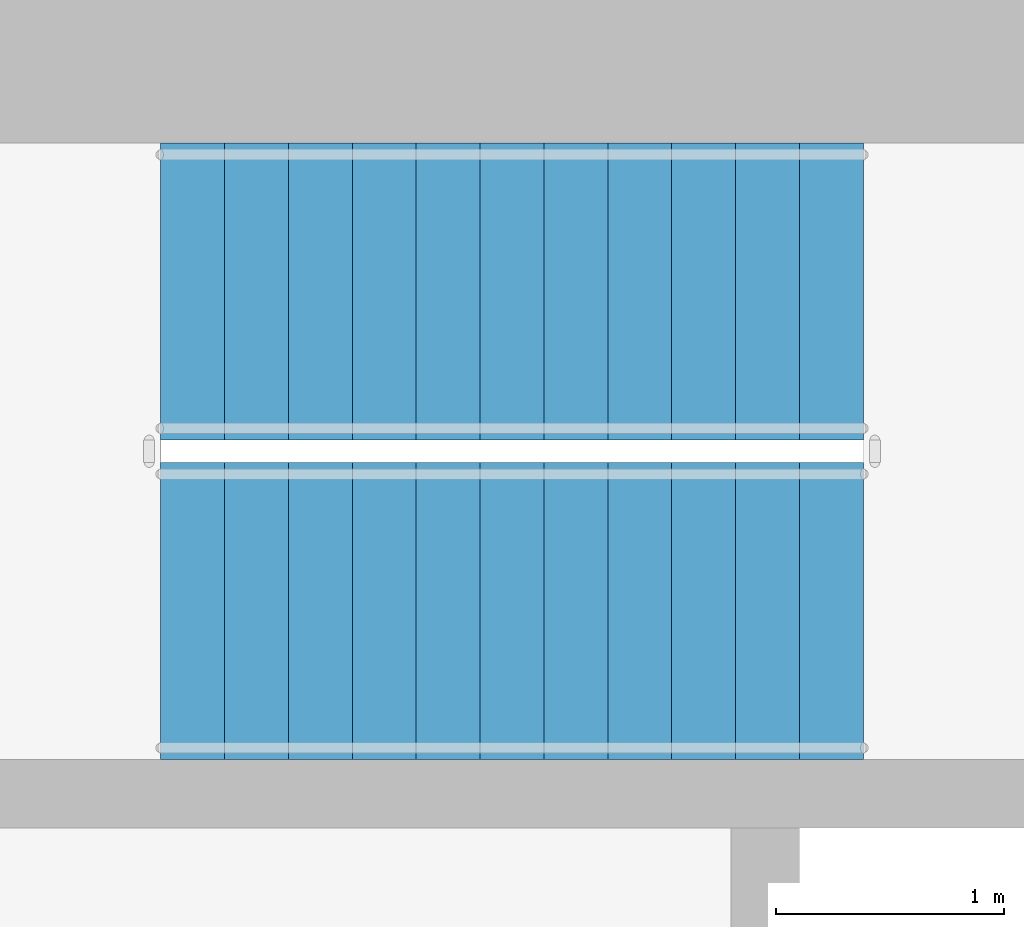
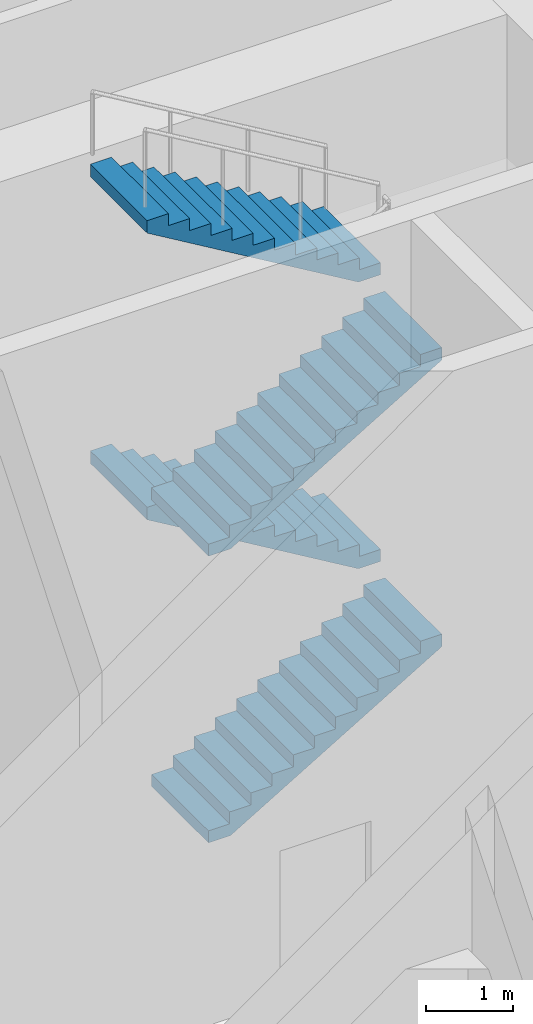
# One storey, part 39 of 54: 4 stair flights, 1 element without a shape of its own.
"""IFC4 building model written with IfcOpenShell, lengths in metres."""

from ifc_helpers import new_model, si_unit, direction, frame, origin, place, context, subcontext, project, spatial, triangles, source, transform, mapped, material, type_object, element, aggregate, save


model = new_model("IFC4")

# Units and contexts
model_context = context("Model", 3, precision=1e-05, world=origin(), true_north=direction((0.0, 1.0)))
body_context = subcontext(model_context, "Body", "Model", "MODEL_VIEW")
ifc_project = project(units=[si_unit("LENGTHUNIT", "METRE"), si_unit("AREAUNIT", "SQUARE_METRE"), si_unit("VOLUMEUNIT", "CUBIC_METRE"), si_unit("PLANEANGLEUNIT", "RADIAN"), si_unit("MASSUNIT", "GRAM", prefix="KILO")], contexts=[model_context])

# Site, building, storey
site_placement = place(None, origin())
site = spatial("IfcSite", under=ifc_project, at=site_placement, CompositionType="ELEMENT")
building_placement = place(site_placement, origin())
building = spatial("IfcBuilding", under=site, at=building_placement, Name="Ogive Portal Towers", CompositionType="ELEMENT")
storey_placement = place(building_placement, origin())
storey = spatial("IfcBuildingStorey", under=building, at=storey_placement, Name="L00", CompositionType="ELEMENT", Elevation=0.0)

# Stair, stair flights
ifc_material = material(Name="Concrete C40/50", Category="concrete")
stair_type = type_object("IfcStairType", Name="INT-STAIR", PredefinedType="HALF_TURN_STAIR", material=ifc_material)
stair_placement = place(storey_placement, origin())
stair = element("IfcStair", 1, at=stair_placement, inside=storey, type_object=stair_type, Name="L00 Exit Stair ST-A2", PredefinedType="HALF_TURN_STAIR")
stair_flight_type = type_object("IfcStairFlightType", Name="INT-FLIGHT", PredefinedType="STRAIGHT", material=ifc_material)
shared_shape = source(origin(), body_context, "Body", "Tessellation", [
    triangles([(0.0, -0.650146484375, 0.0), (0.0, -0.376220703125, 0.0), (0.0, -0.192626953125, 0.0), (0.0, -0.081298828125, 0.0), (0.0, -0.024169921875, 0.0), (0.0, -0.003173828125, 0.0), (0.0, 0.0, 0.0), (0.0, 0.0029296875, 0.0), (0.0, 0.02392578125, 0.0), (0.0, 0.0810546875, 0.0), (0.0, 0.1923828125, 0.0), (0.0, 0.3759765625, 0.0), (0.0, 0.64990234375, 0.0), (0.0, -0.650146484375, 0.166748046875), (0.0, -0.376220703125, 0.166748046875), (0.0, -0.192626953125, 0.166748046875), (0.0, -0.081298828125, 0.166748046875), (0.0, -0.024169921875, 0.166748046875), (0.0, -0.003173828125, 0.166748046875), (0.0, 0.0, 0.166748046875), (0.0, 0.0029296875, 0.166748046875), (0.0, 0.02392578125, 0.166748046875), (0.0, 0.0810546875, 0.166748046875), (0.0, 0.1923828125, 0.166748046875), (0.0, 0.3759765625, 0.166748046875), (0.0, 0.64990234375, 0.166748046875), (0.280029296875, -0.650146484375, 0.166748046875), (0.280029296875, -0.376220703125, 0.166748046875), (0.280029296875, -0.192626953125, 0.166748046875), (0.280029296875, -0.081298828125, 0.166748046875), (0.280029296875, -0.024169921875, 0.166748046875), (0.280029296875, -0.003173828125, 0.166748046875), (0.280029296875, 0.0, 0.166748046875), (0.280029296875, 0.0029296875, 0.166748046875), (0.280029296875, 0.02392578125, 0.166748046875), (0.280029296875, 0.0810546875, 0.166748046875), (0.280029296875, 0.1923828125, 0.166748046875), (0.280029296875, 0.3759765625, 0.166748046875), (0.280029296875, 0.64990234375, 0.166748046875), (0.280029296875, -0.650146484375, 0.333251953125), (0.280029296875, -0.376220703125, 0.333251953125), (0.280029296875, -0.192626953125, 0.333251953125), (0.280029296875, -0.081298828125, 0.333251953125), (0.280029296875, -0.024169921875, 0.333251953125), (0.280029296875, -0.003173828125, 0.333251953125), (0.280029296875, 0.0, 0.333251953125), (0.280029296875, 0.0029296875, 0.333251953125), (0.280029296875, 0.02392578125, 0.333251953125), (0.280029296875, 0.0810546875, 0.333251953125), (0.280029296875, 0.1923828125, 0.333251953125), (0.280029296875, 0.3759765625, 0.333251953125), (0.280029296875, 0.64990234375, 0.333251953125), (0.56005859375, -0.650146484375, 0.333251953125), (0.56005859375, -0.376220703125, 0.333251953125), (0.56005859375, -0.192626953125, 0.333251953125), (0.56005859375, -0.081298828125, 0.333251953125), (0.56005859375, -0.024169921875, 0.333251953125), (0.56005859375, -0.003173828125, 0.333251953125), (0.56005859375, 0.0, 0.333251953125), (0.56005859375, 0.0029296875, 0.333251953125), (0.56005859375, 0.02392578125, 0.333251953125), (0.56005859375, 0.0810546875, 0.333251953125), (0.56005859375, 0.1923828125, 0.333251953125), (0.56005859375, 0.3759765625, 0.333251953125), (0.56005859375, 0.64990234375, 0.333251953125), (0.56005859375, -0.650146484375, 0.5), (0.56005859375, -0.376220703125, 0.5), (0.56005859375, -0.192626953125, 0.5), (0.56005859375, -0.081298828125, 0.5), (0.56005859375, -0.024169921875, 0.5), (0.56005859375, -0.003173828125, 0.5), (0.56005859375, 0.0, 0.5), (0.56005859375, 0.0029296875, 0.5), (0.56005859375, 0.02392578125, 0.5), (0.56005859375, 0.0810546875, 0.5), (0.56005859375, 0.1923828125, 0.5), (0.56005859375, 0.3759765625, 0.5), (0.56005859375, 0.64990234375, 0.5), (0.840087890625, -0.650146484375, 0.5), (0.840087890625, -0.376220703125, 0.5), (0.840087890625, -0.192626953125, 0.5), (0.840087890625, -0.081298828125, 0.5), (0.840087890625, -0.024169921875, 0.5), (0.840087890625, -0.003173828125, 0.5), (0.840087890625, 0.0, 0.5), (0.840087890625, 0.0029296875, 0.5), (0.840087890625, 0.02392578125, 0.5), (0.840087890625, 0.0810546875, 0.5), (0.840087890625, 0.1923828125, 0.5), (0.840087890625, 0.3759765625, 0.5), (0.840087890625, 0.64990234375, 0.5), (0.840087890625, -0.650146484375, 0.666748046875), (0.840087890625, -0.376220703125, 0.666748046875), (0.840087890625, -0.192626953125, 0.666748046875), (0.840087890625, -0.081298828125, 0.666748046875), (0.840087890625, -0.024169921875, 0.666748046875), (0.840087890625, -0.003173828125, 0.666748046875), (0.840087890625, 0.0, 0.666748046875), (0.840087890625, 0.0029296875, 0.666748046875), (0.840087890625, 0.02392578125, 0.666748046875), (0.840087890625, 0.0810546875, 0.666748046875), (0.840087890625, 0.1923828125, 0.666748046875), (0.840087890625, 0.3759765625, 0.666748046875), (0.840087890625, 0.64990234375, 0.666748046875), (1.1201171875, -0.650146484375, 0.666748046875), (1.1201171875, -0.376220703125, 0.666748046875), (1.1201171875, -0.192626953125, 0.666748046875), (1.1201171875, -0.081298828125, 0.666748046875), (1.1201171875, -0.024169921875, 0.666748046875), (1.1201171875, -0.003173828125, 0.666748046875), (1.1201171875, 0.0, 0.666748046875), (1.1201171875, 0.0029296875, 0.666748046875), (1.1201171875, 0.02392578125, 0.666748046875), (1.1201171875, 0.0810546875, 0.666748046875), (1.1201171875, 0.1923828125, 0.666748046875), (1.1201171875, 0.3759765625, 0.666748046875), (1.1201171875, 0.64990234375, 0.666748046875), (1.1201171875, -0.650146484375, 0.833251953125), (1.1201171875, -0.376220703125, 0.833251953125), (1.1201171875, -0.192626953125, 0.833251953125), (1.1201171875, -0.081298828125, 0.833251953125), (1.1201171875, -0.024169921875, 0.833251953125), (1.1201171875, -0.003173828125, 0.833251953125), (1.1201171875, 0.0, 0.833251953125), (1.1201171875, 0.0029296875, 0.833251953125), (1.1201171875, 0.02392578125, 0.833251953125), (1.1201171875, 0.0810546875, 0.833251953125), (1.1201171875, 0.1923828125, 0.833251953125), (1.1201171875, 0.3759765625, 0.833251953125), (1.1201171875, 0.64990234375, 0.833251953125), (1.39990234375, -0.650146484375, 0.833251953125), (1.39990234375, -0.376220703125, 0.833251953125), (1.39990234375, -0.192626953125, 0.833251953125), (1.39990234375, -0.081298828125, 0.833251953125), (1.39990234375, -0.024169921875, 0.833251953125), (1.39990234375, -0.003173828125, 0.833251953125), (1.39990234375, 0.0, 0.833251953125), (1.39990234375, 0.0029296875, 0.833251953125), (1.39990234375, 0.02392578125, 0.833251953125), (1.39990234375, 0.0810546875, 0.833251953125), (1.39990234375, 0.1923828125, 0.833251953125), (1.39990234375, 0.3759765625, 0.833251953125), (1.39990234375, 0.64990234375, 0.833251953125), (1.39990234375, -0.650146484375, 1.0), (1.39990234375, -0.376220703125, 1.0), (1.39990234375, -0.192626953125, 1.0), (1.39990234375, -0.081298828125, 1.0), (1.39990234375, -0.024169921875, 1.0), (1.39990234375, -0.003173828125, 1.0), (1.39990234375, 0.0, 1.0), (1.39990234375, 0.0029296875, 1.0), (1.39990234375, 0.02392578125, 1.0), (1.39990234375, 0.0810546875, 1.0), (1.39990234375, 0.1923828125, 1.0), (1.39990234375, 0.3759765625, 1.0), (1.39990234375, 0.64990234375, 1.0), (1.679931640625, -0.650146484375, 1.0), (1.679931640625, -0.376220703125, 1.0), (1.679931640625, -0.192626953125, 1.0), (1.679931640625, -0.081298828125, 1.0), (1.679931640625, -0.024169921875, 1.0), (1.679931640625, -0.003173828125, 1.0), (1.679931640625, 0.0, 1.0), (1.679931640625, 0.0029296875, 1.0), (1.679931640625, 0.02392578125, 1.0), (1.679931640625, 0.0810546875, 1.0), (1.679931640625, 0.1923828125, 1.0), (1.679931640625, 0.3759765625, 1.0), (1.679931640625, 0.64990234375, 1.0), (1.679931640625, -0.650146484375, 1.166748046875), (1.679931640625, -0.376220703125, 1.166748046875), (1.679931640625, -0.192626953125, 1.166748046875), (1.679931640625, -0.081298828125, 1.166748046875), (1.679931640625, -0.024169921875, 1.166748046875), (1.679931640625, -0.003173828125, 1.166748046875), (1.679931640625, 0.0, 1.166748046875), (1.679931640625, 0.0029296875, 1.166748046875), (1.679931640625, 0.02392578125, 1.166748046875), (1.679931640625, 0.0810546875, 1.166748046875), (1.679931640625, 0.1923828125, 1.166748046875), (1.679931640625, 0.3759765625, 1.166748046875), (1.679931640625, 0.64990234375, 1.166748046875), (1.9599609375, -0.650146484375, 1.166748046875), (1.9599609375, -0.376220703125, 1.166748046875), (1.9599609375, -0.192626953125, 1.166748046875), (1.9599609375, -0.081298828125, 1.166748046875), (1.9599609375, -0.024169921875, 1.166748046875), (1.9599609375, -0.003173828125, 1.166748046875), (1.9599609375, 0.0, 1.166748046875), (1.9599609375, 0.0029296875, 1.166748046875), (1.9599609375, 0.02392578125, 1.166748046875), (1.9599609375, 0.0810546875, 1.166748046875), (1.9599609375, 0.1923828125, 1.166748046875), (1.9599609375, 0.3759765625, 1.166748046875), (1.9599609375, 0.64990234375, 1.166748046875), (1.9599609375, -0.650146484375, 1.333251953125), (1.9599609375, -0.376220703125, 1.333251953125), (1.9599609375, -0.192626953125, 1.333251953125), (1.9599609375, -0.081298828125, 1.333251953125), (1.9599609375, -0.024169921875, 1.333251953125), (1.9599609375, -0.003173828125, 1.333251953125), (1.9599609375, 0.0, 1.333251953125), (1.9599609375, 0.0029296875, 1.333251953125), (1.9599609375, 0.02392578125, 1.333251953125), (1.9599609375, 0.0810546875, 1.333251953125), (1.9599609375, 0.1923828125, 1.333251953125), (1.9599609375, 0.3759765625, 1.333251953125), (1.9599609375, 0.64990234375, 1.333251953125), (2.239990234375, -0.650146484375, 1.333251953125), (2.239990234375, -0.376220703125, 1.333251953125), (2.239990234375, -0.192626953125, 1.333251953125), (2.239990234375, -0.081298828125, 1.333251953125), (2.239990234375, -0.024169921875, 1.333251953125), (2.239990234375, -0.003173828125, 1.333251953125), (2.239990234375, 0.0, 1.333251953125), (2.239990234375, 0.0029296875, 1.333251953125), (2.239990234375, 0.02392578125, 1.333251953125), (2.239990234375, 0.0810546875, 1.333251953125), (2.239990234375, 0.1923828125, 1.333251953125), (2.239990234375, 0.3759765625, 1.333251953125), (2.239990234375, 0.64990234375, 1.333251953125), (2.239990234375, -0.650146484375, 1.5), (2.239990234375, -0.376220703125, 1.5), (2.239990234375, -0.192626953125, 1.5), (2.239990234375, -0.081298828125, 1.5), (2.239990234375, -0.024169921875, 1.5), (2.239990234375, -0.003173828125, 1.5), (2.239990234375, 0.0, 1.5), (2.239990234375, 0.0029296875, 1.5), (2.239990234375, 0.02392578125, 1.5), (2.239990234375, 0.0810546875, 1.5), (2.239990234375, 0.1923828125, 1.5), (2.239990234375, 0.3759765625, 1.5), (2.239990234375, 0.64990234375, 1.5), (2.52001953125, -0.650146484375, 1.5), (2.52001953125, -0.376220703125, 1.5), (2.52001953125, -0.192626953125, 1.5), (2.52001953125, -0.081298828125, 1.5), (2.52001953125, -0.024169921875, 1.5), (2.52001953125, -0.003173828125, 1.5), (2.52001953125, 0.0, 1.5), (2.52001953125, 0.0029296875, 1.5), (2.52001953125, 0.02392578125, 1.5), (2.52001953125, 0.0810546875, 1.5), (2.52001953125, 0.1923828125, 1.5), (2.52001953125, 0.3759765625, 1.5), (2.52001953125, 0.64990234375, 1.5), (2.52001953125, -0.650146484375, 1.666748046875), (2.52001953125, -0.376220703125, 1.666748046875), (2.52001953125, -0.192626953125, 1.666748046875), (2.52001953125, -0.081298828125, 1.666748046875), (2.52001953125, -0.024169921875, 1.666748046875), (2.52001953125, -0.003173828125, 1.666748046875), (2.52001953125, 0.0, 1.666748046875), (2.52001953125, 0.0029296875, 1.666748046875), (2.52001953125, 0.02392578125, 1.666748046875), (2.52001953125, 0.0810546875, 1.666748046875), (2.52001953125, 0.1923828125, 1.666748046875), (2.52001953125, 0.3759765625, 1.666748046875), (2.52001953125, 0.64990234375, 1.666748046875), (2.800048828125, -0.650146484375, 1.666748046875), (2.800048828125, -0.376220703125, 1.666748046875), (2.800048828125, -0.192626953125, 1.666748046875), (2.800048828125, -0.081298828125, 1.666748046875), (2.800048828125, -0.024169921875, 1.666748046875), (2.800048828125, -0.003173828125, 1.666748046875), (2.800048828125, 0.0, 1.666748046875), (2.800048828125, 0.0029296875, 1.666748046875), (2.800048828125, 0.02392578125, 1.666748046875), (2.800048828125, 0.0810546875, 1.666748046875), (2.800048828125, 0.1923828125, 1.666748046875), (2.800048828125, 0.3759765625, 1.666748046875), (2.800048828125, 0.64990234375, 1.666748046875), (2.800048828125, -0.650146484375, 1.833251953125), (2.800048828125, -0.376220703125, 1.833251953125), (2.800048828125, -0.192626953125, 1.833251953125), (2.800048828125, -0.081298828125, 1.833251953125), (2.800048828125, -0.024169921875, 1.833251953125), (2.800048828125, -0.003173828125, 1.833251953125), (2.800048828125, 0.0, 1.833251953125), (2.800048828125, 0.0029296875, 1.833251953125), (2.800048828125, 0.02392578125, 1.833251953125), (2.800048828125, 0.0810546875, 1.833251953125), (2.800048828125, 0.1923828125, 1.833251953125), (2.800048828125, 0.3759765625, 1.833251953125), (2.800048828125, 0.64990234375, 1.833251953125), (3.080078125, -0.650146484375, 1.833251953125), (3.080078125, -0.376220703125, 1.833251953125), (3.080078125, -0.192626953125, 1.833251953125), (3.080078125, -0.081298828125, 1.833251953125), (3.080078125, -0.024169921875, 1.833251953125), (3.080078125, -0.003173828125, 1.833251953125), (3.080078125, 0.0, 1.833251953125), (3.080078125, 0.0029296875, 1.833251953125), (3.080078125, 0.02392578125, 1.833251953125), (3.080078125, 0.0810546875, 1.833251953125), (3.080078125, 0.1923828125, 1.833251953125), (3.080078125, 0.3759765625, 1.833251953125), (3.080078125, 0.64990234375, 1.833251953125), (3.080078125, -0.650146484375, 1.658935546875), (3.080078125, -0.376220703125, 1.658935546875), (3.080078125, -0.192626953125, 1.658935546875), (3.080078125, -0.081298828125, 1.658935546875), (3.080078125, -0.024169921875, 1.658935546875), (3.080078125, -0.003173828125, 1.658935546875), (3.080078125, 0.0, 1.658935546875), (3.080078125, 0.0029296875, 1.658935546875), (3.080078125, 0.02392578125, 1.658935546875), (3.080078125, 0.0810546875, 1.658935546875), (3.080078125, 0.1923828125, 1.658935546875), (3.080078125, 0.3759765625, 1.658935546875), (3.080078125, 0.64990234375, 1.658935546875), (0.29296875, -0.650146484375, 0.0), (0.29296875, -0.376220703125, 0.0), (0.29296875, -0.192626953125, 0.0), (0.29296875, -0.081298828125, 0.0), (0.29296875, -0.024169921875, 0.0), (0.29296875, -0.003173828125, 0.0), (0.29296875, 0.0, 0.0), (0.29296875, 0.0029296875, 0.0), (0.29296875, 0.02392578125, 0.0), (0.29296875, 0.0810546875, 0.0), (0.29296875, 0.1923828125, 0.0), (0.29296875, 0.3759765625, 0.0), (0.29296875, 0.64990234375, 0.0)], [[1, 14, 15], [1, 15, 2], [2, 15, 16], [2, 16, 3], [3, 16, 17], [3, 17, 4], [4, 17, 18], [4, 18, 5], [5, 18, 19], [5, 19, 6], [6, 19, 20], [6, 20, 7], [7, 20, 21], [7, 21, 8], [8, 21, 22], [8, 22, 9], [9, 22, 23], [9, 23, 10], [10, 23, 24], [10, 24, 11], [11, 24, 25], [11, 25, 12], [12, 25, 26], [12, 26, 13], [14, 27, 28], [14, 28, 15], [15, 28, 29], [15, 29, 16], [16, 29, 30], [16, 30, 17], [17, 30, 31], [17, 31, 18], [18, 31, 32], [18, 32, 19], [19, 32, 33], [19, 33, 20], [20, 33, 34], [20, 34, 21], [21, 34, 35], [21, 35, 22], [22, 35, 36], [22, 36, 23], [23, 36, 37], [23, 37, 24], [24, 37, 38], [24, 38, 25], [25, 38, 39], [25, 39, 26], [27, 40, 41], [27, 41, 28], [28, 41, 42], [28, 42, 29], [29, 42, 43], [29, 43, 30], [30, 43, 44], [30, 44, 31], [31, 44, 45], [31, 45, 32], [32, 45, 46], [32, 46, 33], [33, 46, 47], [33, 47, 34], [34, 47, 48], [34, 48, 35], [35, 48, 49], [35, 49, 36], [36, 49, 50], [36, 50, 37], [37, 50, 51], [37, 51, 38], [38, 51, 52], [38, 52, 39], [40, 53, 54], [40, 54, 41], [41, 54, 55], [41, 55, 42], [42, 55, 56], [42, 56, 43], [43, 56, 57], [43, 57, 44], [44, 57, 58], [44, 58, 45], [45, 58, 59], [45, 59, 46], [46, 59, 60], [46, 60, 47], [47, 60, 61], [47, 61, 48], [48, 61, 62], [48, 62, 49], [49, 62, 63], [49, 63, 50], [50, 63, 64], [50, 64, 51], [51, 64, 65], [51, 65, 52], [53, 66, 67], [53, 67, 54], [54, 67, 68], [54, 68, 55], [55, 68, 69], [55, 69, 56], [56, 69, 70], [56, 70, 57], [57, 70, 71], [57, 71, 58], [58, 71, 72], [58, 72, 59], [59, 72, 73], [59, 73, 60], [60, 73, 74], [60, 74, 61], [61, 74, 75], [61, 75, 62], [62, 75, 76], [62, 76, 63], [63, 76, 77], [63, 77, 64], [64, 77, 78], [64, 78, 65], [66, 79, 80], [66, 80, 67], [67, 80, 81], [67, 81, 68], [68, 81, 82], [68, 82, 69], [69, 82, 83], [69, 83, 70], [70, 83, 84], [70, 84, 71], [71, 84, 85], [71, 85, 72], [72, 85, 86], [72, 86, 73], [73, 86, 87], [73, 87, 74], [74, 87, 88], [74, 88, 75], [75, 88, 89], [75, 89, 76], [76, 89, 90], [76, 90, 77], [77, 90, 91], [77, 91, 78], [79, 92, 93], [79, 93, 80], [80, 93, 94], [80, 94, 81], [81, 94, 95], [81, 95, 82], [82, 95, 96], [82, 96, 83], [83, 96, 97], [83, 97, 84], [84, 97, 98], [84, 98, 85], [85, 98, 99], [85, 99, 86], [86, 99, 100], [86, 100, 87], [87, 100, 101], [87, 101, 88], [88, 101, 102], [88, 102, 89], [89, 102, 103], [89, 103, 90], [90, 103, 104], [90, 104, 91], [92, 105, 106], [92, 106, 93], [93, 106, 107], [93, 107, 94], [94, 107, 108], [94, 108, 95], [95, 108, 109], [95, 109, 96], [96, 109, 110], [96, 110, 97], [97, 110, 111], [97, 111, 98], [98, 111, 112], [98, 112, 99], [99, 112, 113], [99, 113, 100], [100, 113, 114], [100, 114, 101], [101, 114, 115], [101, 115, 102], [102, 115, 116], [102, 116, 103], [103, 116, 117], [103, 117, 104], [105, 118, 119], [105, 119, 106], [106, 119, 120], [106, 120, 107], [107, 120, 121], [107, 121, 108], [108, 121, 122], [108, 122, 109], [109, 122, 123], [109, 123, 110], [110, 123, 124], [110, 124, 111], [111, 124, 125], [111, 125, 112], [112, 125, 126], [112, 126, 113], [113, 126, 127], [113, 127, 114], [114, 127, 128], [114, 128, 115], [115, 128, 129], [115, 129, 116], [116, 129, 130], [116, 130, 117], [118, 131, 132], [118, 132, 119], [119, 132, 133], [119, 133, 120], [120, 133, 134], [120, 134, 121], [121, 134, 135], [121, 135, 122], [122, 135, 136], [122, 136, 123], [123, 136, 137], [123, 137, 124], [124, 137, 138], [124, 138, 125], [125, 138, 139], [125, 139, 126], [126, 139, 140], [126, 140, 127], [127, 140, 141], [127, 141, 128], [128, 141, 142], [128, 142, 129], [129, 142, 143], [129, 143, 130], [131, 144, 145], [131, 145, 132], [132, 145, 146], [132, 146, 133], [133, 146, 147], [133, 147, 134], [134, 147, 148], [134, 148, 135], [135, 148, 149], [135, 149, 136], [136, 149, 150], [136, 150, 137], [137, 150, 151], [137, 151, 138], [138, 151, 152], [138, 152, 139], [139, 152, 153], [139, 153, 140], [140, 153, 154], [140, 154, 141], [141, 154, 155], [141, 155, 142], [142, 155, 156], [142, 156, 143], [144, 157, 158], [144, 158, 145], [145, 158, 159], [145, 159, 146], [146, 159, 160], [146, 160, 147], [147, 160, 161], [147, 161, 148], [148, 161, 162], [148, 162, 149], [149, 162, 163], [149, 163, 150], [150, 163, 164], [150, 164, 151], [151, 164, 165], [151, 165, 152], [152, 165, 166], [152, 166, 153], [153, 166, 167], [153, 167, 154], [154, 167, 168], [154, 168, 155], [155, 168, 169], [155, 169, 156], [157, 170, 171], [157, 171, 158], [158, 171, 172], [158, 172, 159], [159, 172, 173], [159, 173, 160], [160, 173, 174], [160, 174, 161], [161, 174, 175], [161, 175, 162], [162, 175, 176], [162, 176, 163], [163, 176, 177], [163, 177, 164], [164, 177, 178], [164, 178, 165], [165, 178, 179], [165, 179, 166], [166, 179, 180], [166, 180, 167], [167, 180, 181], [167, 181, 168], [168, 181, 182], [168, 182, 169], [170, 183, 184], [170, 184, 171], [171, 184, 185], [171, 185, 172], [172, 185, 186], [172, 186, 173], [173, 186, 187], [173, 187, 174], [174, 187, 188], [174, 188, 175], [175, 188, 189], [175, 189, 176], [176, 189, 190], [176, 190, 177], [177, 190, 191], [177, 191, 178], [178, 191, 192], [178, 192, 179], [179, 192, 193], [179, 193, 180], [180, 193, 194], [180, 194, 181], [181, 194, 195], [181, 195, 182], [183, 196, 197], [183, 197, 184], [184, 197, 198], [184, 198, 185], [185, 198, 199], [185, 199, 186], [186, 199, 200], [186, 200, 187], [187, 200, 201], [187, 201, 188], [188, 201, 202], [188, 202, 189], [189, 202, 203], [189, 203, 190], [190, 203, 204], [190, 204, 191], [191, 204, 205], [191, 205, 192], [192, 205, 206], [192, 206, 193], [193, 206, 207], [193, 207, 194], [194, 207, 208], [194, 208, 195], [196, 209, 210], [196, 210, 197], [197, 210, 211], [197, 211, 198], [198, 211, 212], [198, 212, 199], [199, 212, 213], [199, 213, 200], [200, 213, 214], [200, 214, 201], [201, 214, 215], [201, 215, 202], [202, 215, 216], [202, 216, 203], [203, 216, 217], [203, 217, 204], [204, 217, 218], [204, 218, 205], [205, 218, 219], [205, 219, 206], [206, 219, 220], [206, 220, 207], [207, 220, 221], [207, 221, 208], [209, 222, 223], [209, 223, 210], [210, 223, 224], [210, 224, 211], [211, 224, 225], [211, 225, 212], [212, 225, 226], [212, 226, 213], [213, 226, 227], [213, 227, 214], [214, 227, 228], [214, 228, 215], [215, 228, 229], [215, 229, 216], [216, 229, 230], [216, 230, 217], [217, 230, 231], [217, 231, 218], [218, 231, 232], [218, 232, 219], [219, 232, 233], [219, 233, 220], [220, 233, 234], [220, 234, 221], [222, 235, 236], [222, 236, 223], [223, 236, 237], [223, 237, 224], [224, 237, 238], [224, 238, 225], [225, 238, 239], [225, 239, 226], [226, 239, 240], [226, 240, 227], [227, 240, 241], [227, 241, 228], [228, 241, 242], [228, 242, 229], [229, 242, 243], [229, 243, 230], [230, 243, 244], [230, 244, 231], [231, 244, 245], [231, 245, 232], [232, 245, 246], [232, 246, 233], [233, 246, 247], [233, 247, 234], [235, 248, 249], [235, 249, 236], [236, 249, 250], [236, 250, 237], [237, 250, 251], [237, 251, 238], [238, 251, 252], [238, 252, 239], [239, 252, 253], [239, 253, 240], [240, 253, 254], [240, 254, 241], [241, 254, 255], [241, 255, 242], [242, 255, 256], [242, 256, 243], [243, 256, 257], [243, 257, 244], [244, 257, 258], [244, 258, 245], [245, 258, 259], [245, 259, 246], [246, 259, 260], [246, 260, 247], [248, 261, 262], [248, 262, 249], [249, 262, 263], [249, 263, 250], [250, 263, 264], [250, 264, 251], [251, 264, 265], [251, 265, 252], [252, 265, 266], [252, 266, 253], [253, 266, 267], [253, 267, 254], [254, 267, 268], [254, 268, 255], [255, 268, 269], [255, 269, 256], [256, 269, 270], [256, 270, 257], [257, 270, 271], [257, 271, 258], [258, 271, 272], [258, 272, 259], [259, 272, 273], [259, 273, 260], [261, 274, 275], [261, 275, 262], [262, 275, 276], [262, 276, 263], [263, 276, 277], [263, 277, 264], [264, 277, 278], [264, 278, 265], [265, 278, 279], [265, 279, 266], [266, 279, 280], [266, 280, 267], [267, 280, 281], [267, 281, 268], [268, 281, 282], [268, 282, 269], [269, 282, 283], [269, 283, 270], [270, 283, 284], [270, 284, 271], [271, 284, 285], [271, 285, 272], [272, 285, 286], [272, 286, 273], [274, 287, 288], [274, 288, 275], [275, 288, 289], [275, 289, 276], [276, 289, 290], [276, 290, 277], [277, 290, 291], [277, 291, 278], [278, 291, 292], [278, 292, 279], [279, 292, 293], [279, 293, 280], [280, 293, 294], [280, 294, 281], [281, 294, 295], [281, 295, 282], [282, 295, 296], [282, 296, 283], [283, 296, 297], [283, 297, 284], [284, 297, 298], [284, 298, 285], [285, 298, 299], [285, 299, 286], [287, 300, 301], [287, 301, 288], [288, 301, 302], [288, 302, 289], [289, 302, 303], [289, 303, 290], [290, 303, 304], [290, 304, 291], [291, 304, 305], [291, 305, 292], [292, 305, 306], [292, 306, 293], [293, 306, 307], [293, 307, 294], [294, 307, 308], [294, 308, 295], [295, 308, 309], [295, 309, 296], [296, 309, 310], [296, 310, 297], [297, 310, 311], [297, 311, 298], [298, 311, 312], [298, 312, 299], [300, 313, 314], [300, 314, 301], [301, 314, 315], [301, 315, 302], [302, 315, 316], [302, 316, 303], [303, 316, 317], [303, 317, 304], [304, 317, 318], [304, 318, 305], [305, 318, 319], [305, 319, 306], [306, 319, 320], [306, 320, 307], [307, 320, 321], [307, 321, 308], [308, 321, 322], [308, 322, 309], [309, 322, 323], [309, 323, 310], [310, 323, 324], [310, 324, 311], [311, 324, 325], [311, 325, 312], [313, 1, 2], [313, 2, 314], [314, 2, 3], [314, 3, 315], [315, 3, 4], [315, 4, 316], [316, 4, 5], [316, 5, 317], [317, 5, 6], [317, 6, 318], [318, 6, 7], [318, 7, 319], [319, 7, 8], [319, 8, 320], [320, 8, 9], [320, 9, 321], [321, 9, 10], [321, 10, 322], [322, 10, 11], [322, 11, 323], [323, 11, 12], [323, 12, 324], [324, 12, 13], [324, 13, 325], [1, 313, 300], [13, 312, 325], [300, 287, 274], [312, 286, 299], [300, 274, 261], [312, 273, 286], [300, 261, 248], [312, 260, 273], [300, 248, 235], [312, 247, 260], [235, 222, 209], [247, 221, 234], [300, 235, 209], [312, 221, 247], [209, 196, 183], [221, 195, 208], [300, 209, 183], [312, 195, 221], [183, 170, 157], [195, 169, 182], [300, 183, 157], [312, 169, 195], [157, 144, 131], [169, 143, 156], [300, 157, 131], [312, 143, 169], [131, 118, 105], [143, 117, 130], [300, 131, 105], [312, 117, 143], [105, 92, 79], [117, 91, 104], [300, 105, 79], [312, 91, 117], [79, 66, 53], [91, 65, 78], [300, 79, 53], [312, 65, 91], [1, 300, 53], [13, 65, 312], [53, 40, 27], [65, 39, 52], [1, 53, 27], [13, 39, 65], [27, 14, 1], [39, 13, 26]], closed=True),
])
stair_flight_1_placement = place(storey_placement, frame((52.550048828125, 37.0, 0.0), z_axis=(0.0, 0.0, 1.0), x_axis=(1.0, 0.0, 0.0)))
stair_flight_1 = element("IfcStairFlight", 2, at=stair_flight_1_placement, type_object=stair_flight_type, Name="ST-A2 flight 1", NumberOfRisers=12, NumberOfTreads=11, PredefinedType="STRAIGHT", RiserHeight=0.166666667, TreadLength=0.28, context=body_context, shape_type="MappedRepresentation", body=[
    mapped(shared_shape, transform((0.0, 0.0, 0.0), scale=1.0)),
])
stair_flight_2_placement = place(storey_placement, frame((55.6298828125, 38.39990234375, 2.0), z_axis=(0.0, 0.0, 1.0), x_axis=(-1.0, 0.0, 0.0)))
stair_flight_2 = element("IfcStairFlight", 3, at=stair_flight_2_placement, type_object=stair_flight_type, Name="ST-A2 flight 2", NumberOfRisers=12, NumberOfTreads=11, PredefinedType="STRAIGHT", RiserHeight=0.166666667, TreadLength=0.28, context=body_context, shape_type="MappedRepresentation", body=[
    mapped(shared_shape, transform((0.0, 0.0, 0.0), scale=1.0)),
])
stair_flight_3_placement = place(storey_placement, frame((52.550048828125, 37.0, 4.0), z_axis=(0.0, 0.0, 1.0), x_axis=(1.0, 0.0, 0.0)))
stair_flight_3 = element("IfcStairFlight", 4, at=stair_flight_3_placement, type_object=stair_flight_type, Name="ST-A2 flight 3", NumberOfRisers=12, NumberOfTreads=11, PredefinedType="STRAIGHT", RiserHeight=0.166666667, TreadLength=0.28, context=body_context, shape_type="MappedRepresentation", body=[
    mapped(shared_shape, transform((0.0, 0.0, 0.0), scale=1.0)),
])
stair_flight_4_placement = place(storey_placement, frame((55.6298828125, 38.39990234375, 6.0), z_axis=(0.0, 0.0, 1.0), x_axis=(-1.0, 0.0, 0.0)))
stair_flight_4 = element("IfcStairFlight", 5, at=stair_flight_4_placement, type_object=stair_flight_type, Name="ST-A2 flight 4", NumberOfRisers=12, NumberOfTreads=11, PredefinedType="STRAIGHT", RiserHeight=0.166666667, TreadLength=0.28, context=body_context, shape_type="MappedRepresentation", body=[
    mapped(shared_shape, transform((0.0, 0.0, 0.0), scale=1.0)),
])
aggregate(stair, [stair_flight_1, stair_flight_2, stair_flight_3, stair_flight_4])

save(model, "model.ifc")
